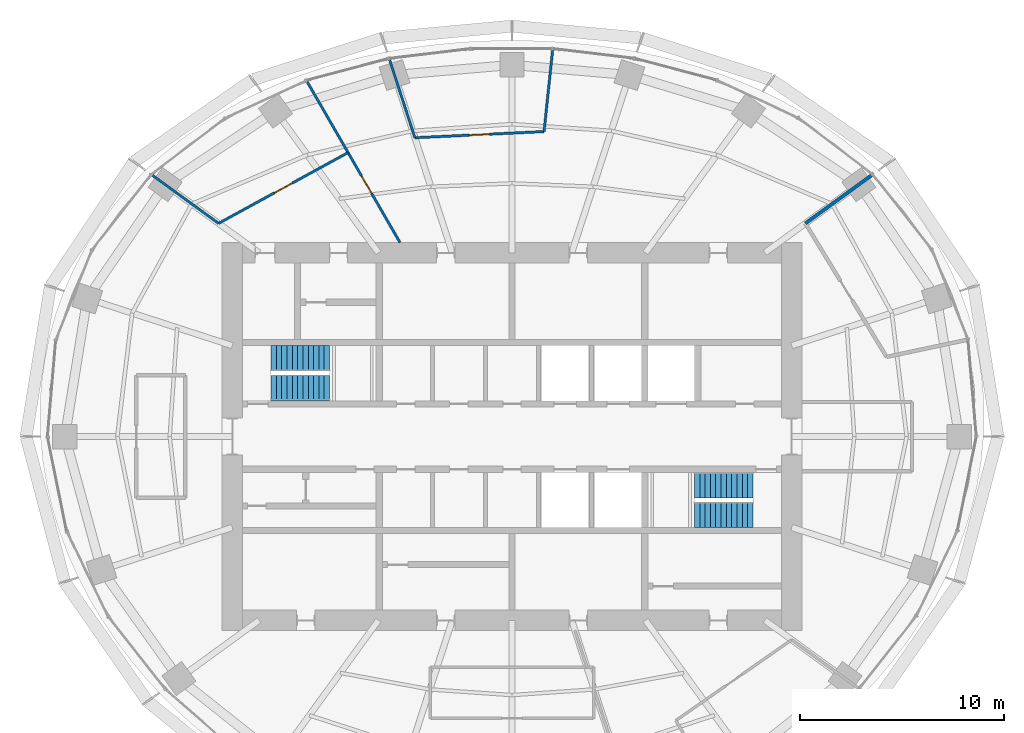
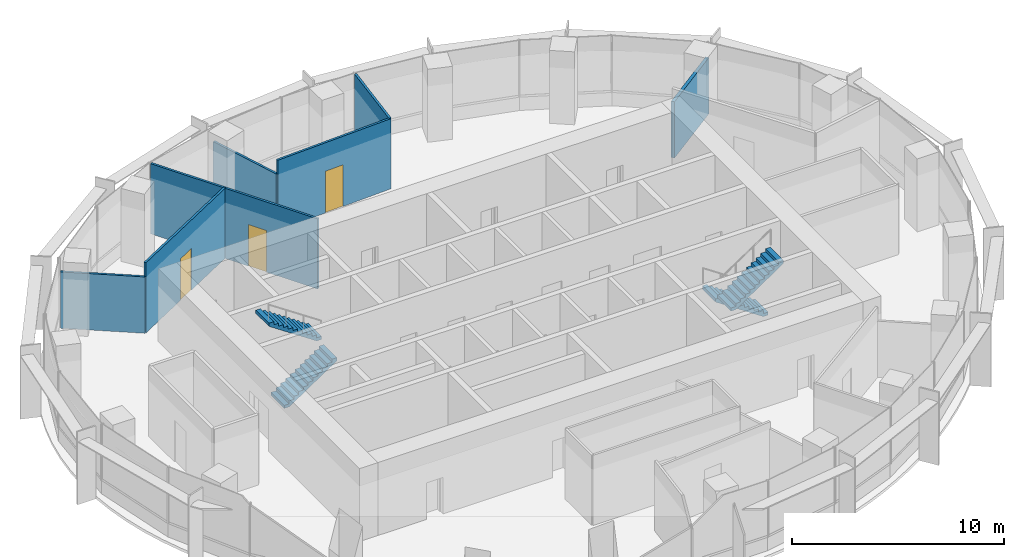
# One storey, part 11 of 13: 7 walls, 4 stair flights, 3 doors, 3 openings, 2 elements without a shape of their own.
"""IFC4 building model written with IfcOpenShell, lengths in metres."""

from ifc_helpers import new_model, si_unit, direction, frame, frame_2d, origin, place, context, subcontext, project, spatial, polyline, rectangle, outline, extrude, material, layer, layer_set, type_object, element, fill, aggregate, save


model = new_model("IFC4")

# Units and contexts
model_context = context("Model", 3, precision=1e-05, world=origin(), true_north=direction((0.0, 1.0)))
body_context = subcontext(model_context, "Body", "Model", "MODEL_VIEW")
ifc_project = project(units=[si_unit("LENGTHUNIT", "METRE"), si_unit("AREAUNIT", "SQUARE_METRE"), si_unit("VOLUMEUNIT", "CUBIC_METRE"), si_unit("PLANEANGLEUNIT", "RADIAN"), si_unit("MASSUNIT", "GRAM", prefix="KILO")], contexts=[model_context])

# Site, building, storey
site_placement = place(None, origin())
site = spatial("IfcSite", under=ifc_project, at=site_placement, CompositionType="ELEMENT")
building_placement = place(site_placement, origin())
building = spatial("IfcBuilding", under=site, at=building_placement, Name="Marramba Exchange Tower", CompositionType="ELEMENT")
storey_placement = place(building_placement, frame((0.0, 0.0, 256.0)))
storey = spatial("IfcBuildingStorey", under=building, at=storey_placement, Name="L62", CompositionType="ELEMENT", Elevation=256.0)

# Walls
ifc_material_1 = material(Name="Plasterboard on staggered double steel studs, acoustic insulation", Category="steel")
ifc_layer_1 = layer(ifc_material_1, 0.169921875)
ifc_layer_set_1 = layer_set([ifc_layer_1], Name="Acoustic partition 170")
wall_type_1 = type_object("IfcWallType", Name="Acoustic partition 170", PredefinedType="PARTITIONING", material=ifc_layer_set_1)
wall_1_placement = place(storey_placement, frame((17.608642578125, 12.79345703125, 0.0), z_axis=(0.0, 0.0, 1.0), x_axis=(-0.809026317077, -0.587772420479, 0.0)))
element("IfcWall", 1, at=wall_1_placement, inside=storey, type_object=wall_type_1, Name="Acoustic partition L62 18", PredefinedType="PARTITIONING", context=body_context, shape_type="SweptSolid", body=[
    extrude(rectangle(XDim=4.0, YDim=0.169921875, at=frame_2d((2.0, 0.0))), origin(), (0.0, 0.0, 1.0), 3.239990234375),
])
ifc_material_2 = material(Name="Plasterboard on steel studs", Category="steel")
ifc_layer_2 = layer(ifc_material_2, 0.1201171875)
ifc_layer_set_2 = layer_set([ifc_layer_2], Name="Partition 120")
wall_type_2 = type_object("IfcWallType", Name="Partition 120", PredefinedType="PARTITIONING", material=ifc_layer_set_2)
wall_2_placement = place(storey_placement, frame((1.5703125, 14.939208984375, 0.0), z_axis=(0.0, 0.0, 1.0), x_axis=(0.104487806028, 0.994526167776, 0.0)))
element("IfcWall", 2, at=wall_2_placement, inside=storey, type_object=wall_type_2, Name="Partition L62 19", PredefinedType="PARTITIONING", context=body_context, shape_type="SweptSolid", body=[
    extrude(rectangle(XDim=4.000244140625, YDim=0.1201171875, at=frame_2d((2.0, 0.0))), origin(), (0.0, 0.0, 1.0), 4.0400390625),
])

# Wall, opening, door
wall_3_placement = place(storey_placement, frame((-4.755615234375, 14.63671875, 0.0), z_axis=(0.0, 0.0, 1.0), x_axis=(0.998858698779, 0.04776295503, 0.0)))
wall_3 = element("IfcWall", 3, at=wall_3_placement, inside=storey, type_object=wall_type_2, Name="Partition L62 20", PredefinedType="PARTITIONING", context=body_context, shape_type="SweptSolid", body=[
    extrude(rectangle(XDim=6.333251953125, YDim=0.1201171875, at=frame_2d((3.16650390625, 0.0))), origin(), (0.0, 0.0, 1.0), 4.0400390625),
])
opening_1_placement = place(wall_3_placement, frame((2.6669921875, 0.0, 0.0)))
opening_1 = element("IfcOpeningElement", 4, at=opening_1_placement, cuts=wall_3, Name="Opening D9", PredefinedType="OPENING", context=body_context, shape_type="SweptSolid", body=[
    extrude(rectangle(XDim=1.0, YDim=2.39990234375, at=frame_2d((0.5, 1.199951171875))), frame((0.0, 0.070068359375, 0.0), z_axis=(0.0, -1.0, 0.0), x_axis=(1.0, 0.0, 0.0)), (0.0, 0.0, 1.0), 0.14013671875),
])
ifc_material_3 = material(Name="Timber door", Category="wood")
door_type = type_object("IfcDoorType", Name="Room door 1000x2400", OperationType="SINGLE_SWING_LEFT", PredefinedType="DOOR", material=ifc_material_3)
door_1_placement = place(opening_1_placement, origin())
door_1 = element("IfcDoor", 5, at=door_1_placement, inside=storey, type_object=door_type, Name="D9 Executive Office 1 L62", OperationType="SINGLE_SWING_RIGHT", OverallHeight=2.39990234375, OverallWidth=1.0, PredefinedType="DOOR", context=body_context, shape_type="SweptSolid", body=[
    extrude(rectangle(XDim=1.0, YDim=2.39990234375, at=frame_2d((0.5, 1.199951171875))), frame((0.0, 0.02490234375, 0.0), z_axis=(0.0, -1.0, 0.0), x_axis=(1.0, 0.0, 0.0)), (0.0, 0.0, 1.0), 0.050048828125),
])
fill(opening_1, door_1)

# Wall
wall_4_placement = place(storey_placement, frame((-5.99169921875, 18.44091796875, 0.0), z_axis=(0.0, 0.0, 1.0), x_axis=(0.309022586479, -0.951054699292, 0.0)))
element("IfcWall", 6, at=wall_4_placement, inside=storey, type_object=wall_type_2, Name="Partition L62 21", PredefinedType="PARTITIONING", context=body_context, shape_type="SweptSolid", body=[
    extrude(rectangle(XDim=4.0, YDim=0.1201171875, at=frame_2d((2.0, 0.0))), origin(), (0.0, 0.0, 1.0), 3.239990234375),
])

# Wall, opening, door
wall_5_placement = place(storey_placement, frame((-5.48486328125, 9.5, 0.0), z_axis=(0.0, 0.0, 1.0), x_axis=(-0.499988999718, 0.866031754707, 0.0)))
wall_5 = element("IfcWall", 7, at=wall_5_placement, inside=storey, type_object=wall_type_2, Name="Partition L62 22", PredefinedType="PARTITIONING", context=body_context, shape_type="SweptSolid", body=[
    extrude(rectangle(XDim=9.091552734375, YDim=0.1201171875, at=frame_2d((4.5458984375, 0.0))), origin(), (0.0, 0.0, 1.0), 4.0400390625),
])
opening_2_placement = place(wall_5_placement, frame((2.77197265625, 0.0, 0.0)))
opening_2 = element("IfcOpeningElement", 8, at=opening_2_placement, cuts=wall_5, Name="Opening D9", PredefinedType="OPENING", context=body_context, shape_type="SweptSolid", body=[
    extrude(rectangle(XDim=1.0, YDim=2.39990234375, at=frame_2d((0.5, 1.199951171875))), frame((0.0, 0.070068359375, 0.0), z_axis=(0.0, -1.0, 0.0), x_axis=(1.0, 0.0, 0.0)), (0.0, 0.0, 1.0), 0.14013671875),
])
door_2_placement = place(opening_2_placement, origin())
door_2 = element("IfcDoor", 9, at=door_2_placement, inside=storey, type_object=door_type, Name="D9 Executive Lounge L62", OperationType="SINGLE_SWING_RIGHT", OverallHeight=2.39990234375, OverallWidth=1.0, PredefinedType="DOOR", context=body_context, shape_type="SweptSolid", body=[
    extrude(rectangle(XDim=1.0, YDim=2.39990234375, at=frame_2d((0.5, 1.199951171875))), frame((0.0, 0.02490234375, 0.0), z_axis=(0.0, -1.0, 0.0), x_axis=(1.0, 0.0, 0.0)), (0.0, 0.0, 1.0), 0.050048828125),
])
fill(opening_2, door_2)

wall_6_placement = place(storey_placement, frame((-14.37255859375, 10.4423828125, 0.0), z_axis=(0.0, 0.0, 1.0), x_axis=(0.877444670923, 0.479677860099, 0.0)))
wall_6 = element("IfcWall", 10, at=wall_6_placement, inside=storey, type_object=wall_type_2, Name="Partition L62 23", PredefinedType="PARTITIONING", context=body_context, shape_type="SweptSolid", body=[
    extrude(rectangle(XDim=7.227783203125, YDim=0.1201171875, at=frame_2d((3.61376953125, 0.0))), origin(), (0.0, 0.0, 1.0), 4.0400390625),
])
opening_3_placement = place(wall_6_placement, frame((3.114013671875, 0.0, 0.0)))
opening_3 = element("IfcOpeningElement", 11, at=opening_3_placement, cuts=wall_6, Name="Opening D9", PredefinedType="OPENING", context=body_context, shape_type="SweptSolid", body=[
    extrude(rectangle(XDim=1.0, YDim=2.39990234375, at=frame_2d((0.5, 1.199951171875))), frame((0.0, 0.070068359375, 0.0), z_axis=(0.0, -1.0, 0.0), x_axis=(1.0, 0.0, 0.0)), (0.0, 0.0, 1.0), 0.14013671875),
])
door_3_placement = place(opening_3_placement, origin())
door_3 = element("IfcDoor", 12, at=door_3_placement, inside=storey, type_object=door_type, Name="D9 Executive Office 2 L62", OperationType="SINGLE_SWING_RIGHT", OverallHeight=2.39990234375, OverallWidth=1.0, PredefinedType="DOOR", context=body_context, shape_type="SweptSolid", body=[
    extrude(rectangle(XDim=1.0, YDim=2.39990234375, at=frame_2d((0.5, 1.199951171875))), frame((0.0, 0.02490234375, 0.0), z_axis=(0.0, -1.0, 0.0), x_axis=(1.0, 0.0, 0.0)), (0.0, 0.0, 1.0), 0.050048828125),
])
fill(opening_3, door_3)

# Wall
wall_7_placement = place(storey_placement, frame((-17.608642578125, 12.79345703125, 0.0), z_axis=(0.0, 0.0, 1.0), x_axis=(0.809026317077, -0.587772420479, 0.0)))
element("IfcWall", 13, at=wall_7_placement, inside=storey, type_object=wall_type_2, Name="Partition L62 24", PredefinedType="PARTITIONING", context=body_context, shape_type="SweptSolid", body=[
    extrude(rectangle(XDim=4.0, YDim=0.1201171875, at=frame_2d((2.0, 0.0))), origin(), (0.0, 0.0, 1.0), 3.239990234375),
])

# Stair, stair flights
ifc_material_4 = material(Name="Concrete N40 (40 MPa)", Category="concrete")
stair_type_1 = type_object("IfcStairType", Name="Exit stair ST1 4200 x 1250", PredefinedType="HALF_TURN_STAIR", material=ifc_material_4)
stair_1_placement = place(storey_placement, origin())
stair_1 = element("IfcStair", 14, at=stair_1_placement, inside=storey, type_object=stair_type_1, Name="Exit stair ST1 L62", PredefinedType="HALF_TURN_STAIR")
stair_flight_type_1 = type_object("IfcStairFlightType", Name="ST1 stair flight 1750 riser 1250 wide", PredefinedType="STRAIGHT", material=ifc_material_4)
stair_flight_1_placement = place(storey_placement, frame((-11.800048828125, 2.375, 0.0), z_axis=(0.0, 0.0, 1.0), x_axis=(1.0, 0.0, 0.0)))
stair_flight_1 = element("IfcStairFlight", 15, at=stair_flight_1_placement, type_object=stair_flight_type_1, Name="ST1 flight 1", NumberOfRisers=12, NumberOfTreads=11, PredefinedType="STRAIGHT", RiserHeight=0.175, TreadLength=0.26, context=body_context, shape_type="SweptSolid", body=[
    extrude(outline(polyline([(0.0, 0.0), (0.0, 0.175048828125), (0.260009765625, 0.175048828125), (0.260009765625, 0.35009765625), (0.52001953125, 0.35009765625), (0.52001953125, 0.52490234375), (0.780029296875, 0.52490234375), (0.780029296875, 0.699951171875), (1.0400390625, 0.699951171875), (1.0400390625, 0.875), (1.300048828125, 0.875), (1.300048828125, 1.050048828125), (1.56005859375, 1.050048828125), (1.56005859375, 1.22509765625), (1.820068359375, 1.22509765625), (1.820068359375, 1.39990234375), (2.080078125, 1.39990234375), (2.080078125, 1.574951171875), (2.340087890625, 1.574951171875), (2.340087890625, 1.75), (2.60009765625, 1.75), (2.60009765625, 1.925048828125), (2.860107421875, 1.925048828125), (2.860107421875, 2.10009765625), (2.860107421875, 1.744384765625), (0.2685546875, 0.0), (0.0, 0.0)])), frame((0.0, 0.625, 0.0), z_axis=(0.0, -1.0, 0.0), x_axis=(1.0, 0.0, 0.0)), (0.0, 0.0, 1.0), 1.25),
])
stair_flight_2_placement = place(storey_placement, frame((-8.93994140625, 3.824951171875, 2.10009765625), z_axis=(0.0, 0.0, 1.0), x_axis=(-1.0, 0.0, 0.0)))
stair_flight_2 = element("IfcStairFlight", 16, at=stair_flight_2_placement, type_object=stair_flight_type_1, Name="ST1 flight 2", NumberOfRisers=12, NumberOfTreads=11, PredefinedType="STRAIGHT", RiserHeight=0.175, TreadLength=0.26, context=body_context, shape_type="SweptSolid", body=[
    extrude(outline(polyline([(0.0, 0.0), (0.0, 0.175048828125), (0.260009765625, 0.175048828125), (0.260009765625, 0.35009765625), (0.52001953125, 0.35009765625), (0.52001953125, 0.52490234375), (0.780029296875, 0.52490234375), (0.780029296875, 0.699951171875), (1.0400390625, 0.699951171875), (1.0400390625, 0.875), (1.300048828125, 0.875), (1.300048828125, 1.050048828125), (1.56005859375, 1.050048828125), (1.56005859375, 1.22509765625), (1.820068359375, 1.22509765625), (1.820068359375, 1.39990234375), (2.080078125, 1.39990234375), (2.080078125, 1.574951171875), (2.340087890625, 1.574951171875), (2.340087890625, 1.75), (2.60009765625, 1.75), (2.60009765625, 1.925048828125), (2.860107421875, 1.925048828125), (2.860107421875, 2.10009765625), (2.860107421875, 1.744384765625), (0.2685546875, 0.0), (0.0, 0.0)])), frame((0.0, 0.625, 0.0), z_axis=(0.0, -1.0, 0.0), x_axis=(1.0, 0.0, 0.0)), (0.0, 0.0, 1.0), 1.25),
])
aggregate(stair_1, [stair_flight_1, stair_flight_2])

stair_type_2 = type_object("IfcStairType", Name="Exit stair ST2 4200 x 1250", PredefinedType="HALF_TURN_STAIR", material=ifc_material_4)
stair_2_placement = place(storey_placement, origin())
stair_2 = element("IfcStair", 17, at=stair_2_placement, inside=storey, type_object=stair_type_2, Name="Exit stair ST2 L62", PredefinedType="HALF_TURN_STAIR")
stair_flight_type_2 = type_object("IfcStairFlightType", Name="ST2 stair flight 1750 riser 1250 wide", PredefinedType="STRAIGHT", material=ifc_material_4)
stair_flight_3_placement = place(storey_placement, frame((11.800048828125, -2.375, 0.0), z_axis=(0.0, 0.0, 1.0), x_axis=(-1.0, 0.0, 0.0)))
stair_flight_3 = element("IfcStairFlight", 18, at=stair_flight_3_placement, type_object=stair_flight_type_2, Name="ST2 flight 1", NumberOfRisers=12, NumberOfTreads=11, PredefinedType="STRAIGHT", RiserHeight=0.175, TreadLength=0.26, context=body_context, shape_type="SweptSolid", body=[
    extrude(outline(polyline([(0.0, 0.0), (0.0, 0.175048828125), (0.260009765625, 0.175048828125), (0.260009765625, 0.35009765625), (0.52001953125, 0.35009765625), (0.52001953125, 0.52490234375), (0.780029296875, 0.52490234375), (0.780029296875, 0.699951171875), (1.0400390625, 0.699951171875), (1.0400390625, 0.875), (1.300048828125, 0.875), (1.300048828125, 1.050048828125), (1.56005859375, 1.050048828125), (1.56005859375, 1.22509765625), (1.820068359375, 1.22509765625), (1.820068359375, 1.39990234375), (2.080078125, 1.39990234375), (2.080078125, 1.574951171875), (2.340087890625, 1.574951171875), (2.340087890625, 1.75), (2.60009765625, 1.75), (2.60009765625, 1.925048828125), (2.860107421875, 1.925048828125), (2.860107421875, 2.10009765625), (2.860107421875, 1.744384765625), (0.2685546875, 0.0), (0.0, 0.0)])), frame((0.0, 0.625, 0.0), z_axis=(0.0, -1.0, 0.0), x_axis=(1.0, 0.0, 0.0)), (0.0, 0.0, 1.0), 1.25),
])
stair_flight_4_placement = place(storey_placement, frame((8.93994140625, -3.824951171875, 2.10009765625), z_axis=(0.0, 0.0, 1.0), x_axis=(1.0, 0.0, 0.0)))
stair_flight_4 = element("IfcStairFlight", 19, at=stair_flight_4_placement, type_object=stair_flight_type_2, Name="ST2 flight 2", NumberOfRisers=12, NumberOfTreads=11, PredefinedType="STRAIGHT", RiserHeight=0.175, TreadLength=0.26, context=body_context, shape_type="SweptSolid", body=[
    extrude(outline(polyline([(0.0, 0.0), (0.0, 0.175048828125), (0.260009765625, 0.175048828125), (0.260009765625, 0.35009765625), (0.52001953125, 0.35009765625), (0.52001953125, 0.52490234375), (0.780029296875, 0.52490234375), (0.780029296875, 0.699951171875), (1.0400390625, 0.699951171875), (1.0400390625, 0.875), (1.300048828125, 0.875), (1.300048828125, 1.050048828125), (1.56005859375, 1.050048828125), (1.56005859375, 1.22509765625), (1.820068359375, 1.22509765625), (1.820068359375, 1.39990234375), (2.080078125, 1.39990234375), (2.080078125, 1.574951171875), (2.340087890625, 1.574951171875), (2.340087890625, 1.75), (2.60009765625, 1.75), (2.60009765625, 1.925048828125), (2.860107421875, 1.925048828125), (2.860107421875, 2.10009765625), (2.860107421875, 1.744384765625), (0.2685546875, 0.0), (0.0, 0.0)])), frame((0.0, 0.625, 0.0), z_axis=(0.0, -1.0, 0.0), x_axis=(1.0, 0.0, 0.0)), (0.0, 0.0, 1.0), 1.25),
])
aggregate(stair_2, [stair_flight_3, stair_flight_4])

save(model, "model.ifc")
